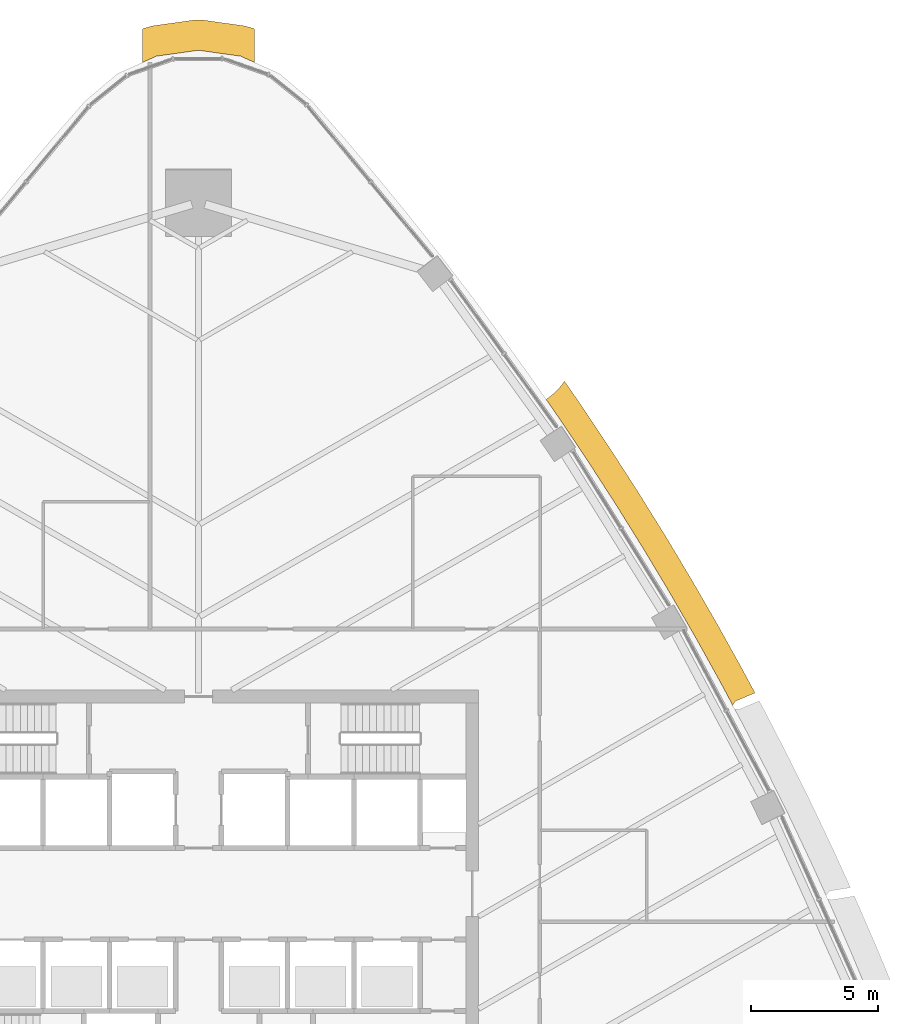
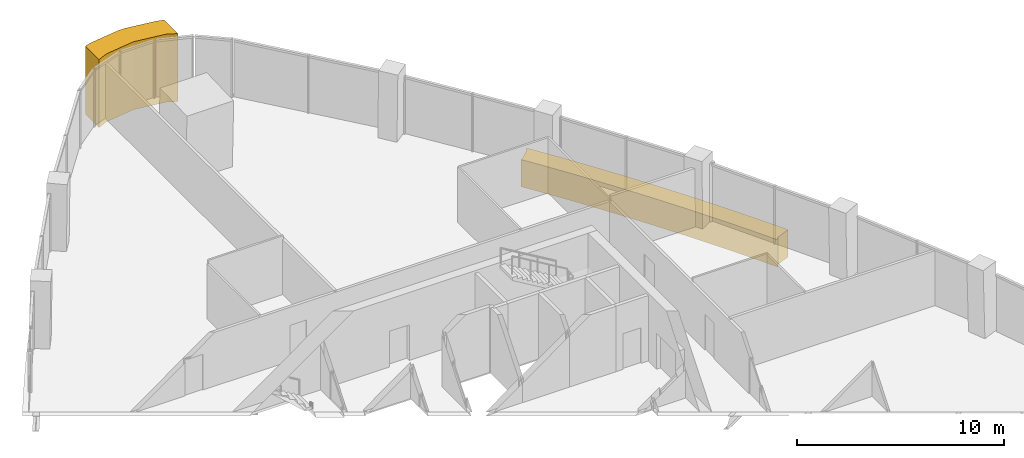
# One storey, part 15 of 16: 2 coverings.
"""IFC4 building model written with IfcOpenShell, lengths in metres."""

from ifc_helpers import new_model, si_unit, direction, frame, origin, place, context, subcontext, project, spatial, polyline, outline, extrude, material, layer, layer_set, type_object, element, save


model = new_model("IFC4")

# Units and contexts
model_context = context("Model", 3, precision=1e-05, world=origin(), true_north=direction((0.0, 1.0)))
body_context = subcontext(model_context, "Body", "Model", "MODEL_VIEW")
ifc_project = project(units=[si_unit("LENGTHUNIT", "METRE"), si_unit("AREAUNIT", "SQUARE_METRE"), si_unit("VOLUMEUNIT", "CUBIC_METRE"), si_unit("PLANEANGLEUNIT", "RADIAN"), si_unit("MASSUNIT", "GRAM", prefix="KILO")], contexts=[model_context])

# Site, building, storey
site_placement = place(None, origin())
site = spatial("IfcSite", under=ifc_project, at=site_placement, CompositionType="ELEMENT")
building_placement = place(site_placement, origin())
building = spatial("IfcBuilding", under=site, at=building_placement, Name="Sierra Prisma Convention Tower", CompositionType="ELEMENT")
storey_placement = place(building_placement, frame((0.0, 0.0, 181.800048828125)))
storey = spatial("IfcBuildingStorey", under=building, at=storey_placement, Name="L40", CompositionType="ELEMENT", Elevation=181.800048828125)

# Coverings
ifc_material_1 = material(Name="Aluminium composite bronze anodised", Category="aluminium")
ifc_layer_1 = layer(ifc_material_1, 1.199951171875)
ifc_layer_set_1 = layer_set([ifc_layer_1], Name="Bronze corner pier")
covering_type_1 = type_object("IfcCoveringType", Name="Bronze corner pier", PredefinedType="CLADDING", material=ifc_layer_set_1)
covering_1_placement = place(storey_placement, frame((0.0, 0.0, -0.60009765625)))
element("IfcCovering", 1, at=covering_1_placement, inside=storey, type_object=covering_type_1, Name="Corner pier N L40.1", PredefinedType="CLADDING", context=body_context, shape_type="SweptSolid", body=[
    extrude(outline(polyline([(1.826904296875, 34.086669921875), (2.150390625, 33.9931640625), (2.199951171875, 33.970703125), (2.199951171875, 32.6552734375), (1.65869140625, 32.8984375), (0.0, 33.13330078125), (-1.65869140625, 32.8984375), (-2.199951171875, 32.6552734375), (-2.199951171875, 33.970703125), (-2.150390625, 33.9931640625), (-1.826904296875, 34.086669921875), (-0.168212890625, 34.321533203125), (0.168212890625, 34.321533203125), (1.826904296875, 34.086669921875)])), origin(), (0.0, 0.0, 1.0), 4.0),
])
ifc_material_2 = material(Name="Aluminium composite bronze anodised", Category="aluminium")
ifc_layer_2 = layer(ifc_material_2, 1.0)
ifc_layer_set_2 = layer_set([ifc_layer_2], Name="Bronze spandrel band")
covering_type_2 = type_object("IfcCoveringType", Name="Bronze spandrel band", PredefinedType="CLADDING", material=ifc_layer_set_2)
covering_2_placement = place(storey_placement, frame((0.0, 0.0, -1.60009765625)))
element("IfcCovering", 2, at=covering_2_placement, inside=storey, type_object=covering_type_2, Name="Spandrel band L40.3", PredefinedType="CLADDING", context=body_context, shape_type="SweptSolid", body=[
    extrude(outline(polyline([(15.067626953125, 19.1328125), (15.076904296875, 19.119384765625), (16.182373046875, 17.462646484375), (16.19140625, 17.44921875), (17.27001953125, 15.77490234375), (17.278564453125, 15.760986328125), (18.329833984375, 14.069580078125), (18.33837890625, 14.0556640625), (19.36181640625, 12.34716796875), (19.3701171875, 12.333251953125), (20.365966796875, 10.6083984375), (20.3740234375, 10.59423828125), (21.341796875, 8.853515625), (21.349609375, 8.83935546875), (21.857421875, 7.889892578125), (21.101806640625, 7.57275390625), (21.097412109375, 7.570556640625), (21.093017578125, 7.568115234375), (21.0888671875, 7.56494140625), (21.085205078125, 7.5615234375), (21.081787109375, 7.5576171875), (21.0791015625, 7.5537109375), (20.997802734375, 7.4267578125), (20.99560546875, 7.422607421875), (20.99365234375, 7.418212890625), (20.991943359375, 7.413818359375), (20.990966796875, 7.408935546875), (20.990234375, 7.404296875), (20.989990234375, 7.3994140625), (20.990234375, 7.394775390625), (20.990966796875, 7.389892578125), (20.991455078125, 7.388671875), (20.4677734375, 8.36767578125), (19.5, 10.1083984375), (18.504150390625, 11.833251953125), (17.48046875, 13.541748046875), (16.42919921875, 15.2333984375), (15.3505859375, 16.90771484375), (14.2451171875, 18.564208984375), (13.653564453125, 19.419921875), (13.752197265625, 19.4912109375), (13.9453125, 19.6455078125), (14.12255859375, 19.818115234375), (14.281982421875, 20.007080078125), (14.37255859375, 20.138671875), (15.067626953125, 19.1328125)])), origin(), (0.0, 0.0, 1.0), 1.60009765625),
])

save(model, "model.ifc")
